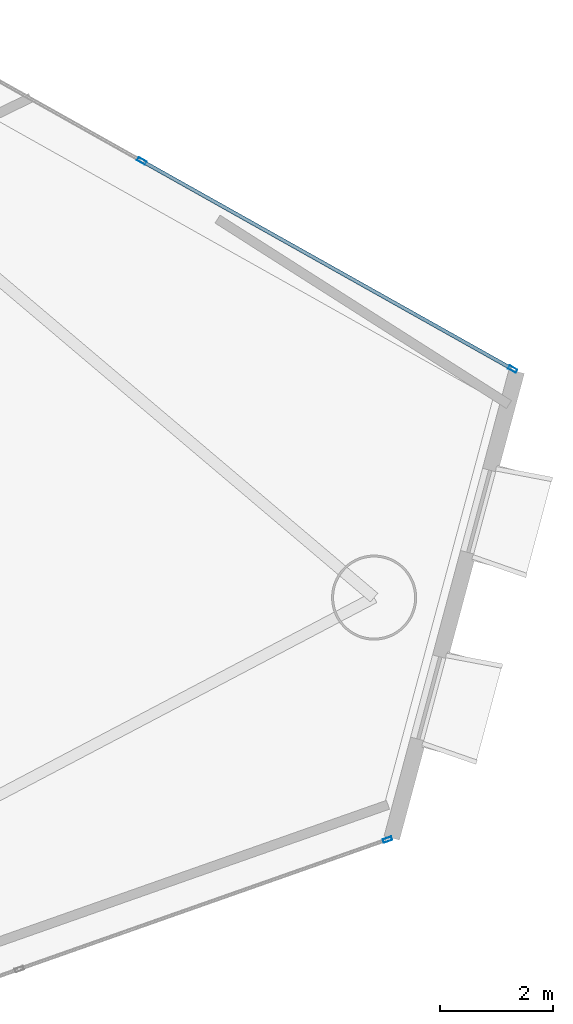
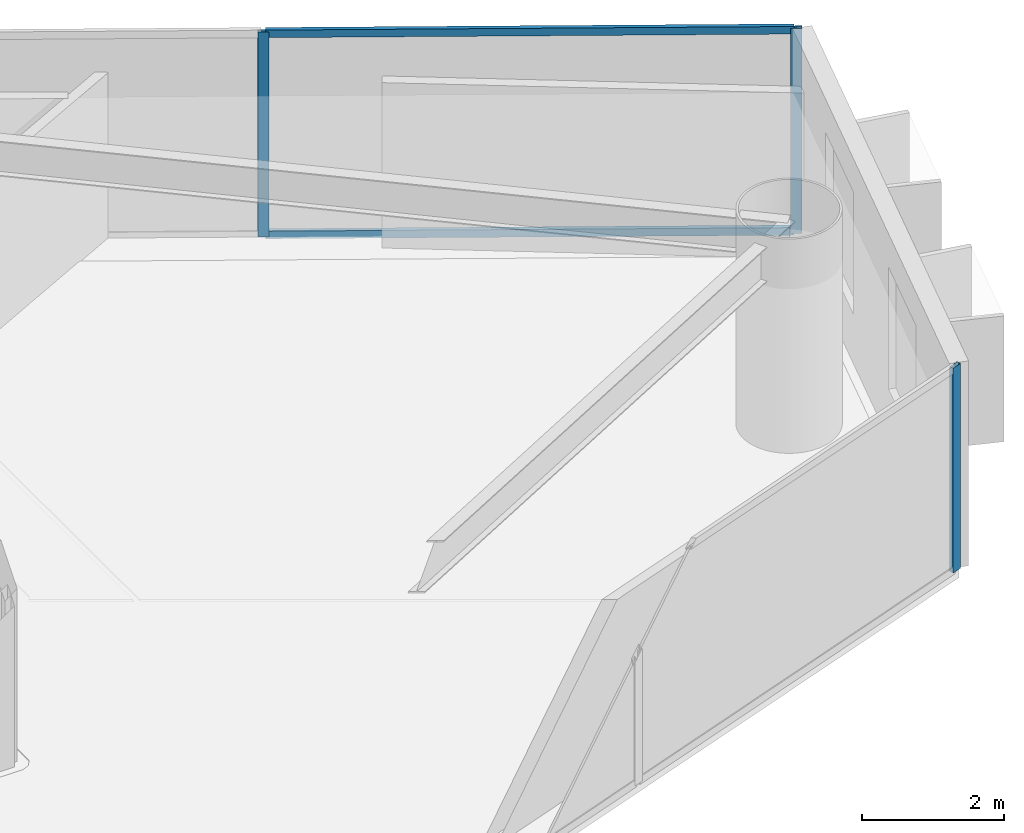
# One storey, part 12 of 19: 5 members, 2 elements without a shape of their own.
"""IFC4 building model written with IfcOpenShell, lengths in metres."""

from ifc_helpers import new_model, si_unit, direction, frame, origin, origin_2d, place, context, subcontext, project, spatial, hollow_rectangle, extrude, material, layer, layer_set, material_profile, profile_set, type_object, element, aggregate, save


model = new_model("IFC4")

# Units and contexts
model_context = context("Model", 3, precision=1e-05, world=origin(), true_north=direction((0.0, 1.0)))
body_context = subcontext(model_context, "Body", "Model", "MODEL_VIEW")
ifc_project = project(units=[si_unit("LENGTHUNIT", "METRE"), si_unit("AREAUNIT", "SQUARE_METRE"), si_unit("VOLUMEUNIT", "CUBIC_METRE"), si_unit("PLANEANGLEUNIT", "RADIAN"), si_unit("MASSUNIT", "GRAM", prefix="KILO")], contexts=[model_context])

# Site, building, storey
site_placement = place(None, origin())
site = spatial("IfcSite", under=ifc_project, at=site_placement, CompositionType="ELEMENT")
building_placement = place(site_placement, origin())
building = spatial("IfcBuilding", under=site, at=building_placement, Name="Qianvela Tower", CompositionType="ELEMENT")
storey_placement = place(building_placement, frame((0.0, 0.0, 123.699951171875)))
storey = spatial("IfcBuildingStorey", under=building, at=storey_placement, Name="L31", CompositionType="ELEMENT", Elevation=123.699951171875)

# Curtain wall, members
ifc_material_1 = material(Name="Anodised Architectural Aluminium and Low-E Glass", Category="aluminium")
ifc_layer = layer(ifc_material_1, 0.169921875)
ifc_layer_set = layer_set([ifc_layer], Name="Anodised Architectural Aluminium and Low-E Glass")
curtain_wall_type = type_object("IfcCurtainWallType", Name="CW-COLIV-Z34", PredefinedType="USERDEFINED", material=ifc_layer_set)
curtain_wall_1_placement = place(storey_placement, origin())
curtain_wall_1 = element("IfcCurtainWall", 1, at=curtain_wall_1_placement, inside=storey, type_object=curtain_wall_type, Name="L31 CW-COLIV-Z34 Curtain Wall 02A", ObjectType="CURTAIN_WALL_SYSTEM", PredefinedType="USERDEFINED")
ifc_material_2 = material(Name="Anodised Architectural Aluminium 6063-T6", Category="aluminium")
ifc_material_profile_1 = material_profile(ifc_material_2, hollow_rectangle(XDim=0.06494140625, YDim=0.159912109375, WallThickness=0.0048828125, at=origin_2d()), Name="ALU-MULL-65x160")
ifc_profile_set_1 = profile_set([ifc_material_profile_1], Name="Anodised Architectural Aluminium 6063-T6")
member_type_1 = type_object("IfcMemberType", Name="CW-COLIV-Z34-MULL", PredefinedType="MULLION", material=ifc_profile_set_1)
member_1_placement = place(storey_placement, frame((59.6357421875, 27.985107421875, 0.0), z_axis=(0.0, 0.0, 1.0), x_axis=(-0.48957603275, -0.871960611586, 0.0)))
member_1 = element("IfcMember", 2, at=member_1_placement, type_object=member_type_1, Name="CW-4 mullion 1", PredefinedType="MULLION", context=body_context, shape_type="SweptSolid", body=[
    extrude(hollow_rectangle(XDim=0.06494140625, YDim=0.159912109375, WallThickness=0.0048828125, at=origin_2d()), origin(), (0.0, 0.0, 1.0), 3.52001953125),
])
member_2_placement = place(storey_placement, frame((53.098388671875, 31.65576171875, 0.0), z_axis=(0.0, 0.0, 1.0), x_axis=(-0.48957603275, -0.871960611586, 0.0)))
member_2 = element("IfcMember", 3, at=member_2_placement, type_object=member_type_1, Name="CW-4 mullion 2", PredefinedType="MULLION", context=body_context, shape_type="SweptSolid", body=[
    extrude(hollow_rectangle(XDim=0.06494140625, YDim=0.159912109375, WallThickness=0.0048828125, at=origin_2d()), origin(), (0.0, 0.0, 1.0), 3.52001953125),
])

# Curtain wall, member
curtain_wall_2_placement = place(storey_placement, origin())
curtain_wall_2 = element("IfcCurtainWall", 4, at=curtain_wall_2_placement, inside=storey, type_object=curtain_wall_type, Name="L31 CW-COLIV-Z34 Curtain Wall 06C", ObjectType="CURTAIN_WALL_SYSTEM", PredefinedType="USERDEFINED")
member_3_placement = place(storey_placement, frame((57.42822265625, 19.69091796875, 0.0), z_axis=(0.0, 0.0, 1.0), x_axis=(-0.332046723019, 0.94326293987, 0.0)))
member_3 = element("IfcMember", 5, at=member_3_placement, type_object=member_type_1, Name="CW-4 mullion 3", PredefinedType="MULLION", context=body_context, shape_type="SweptSolid", body=[
    extrude(hollow_rectangle(XDim=0.06494140625, YDim=0.159912109375, WallThickness=0.0048828125, at=origin_2d()), origin(), (0.0, 0.0, 1.0), 3.52001953125),
])
aggregate(curtain_wall_2, [member_3])

# Member
ifc_material_3 = material(Name="Anodised Architectural Aluminium 6063-T6", Category="aluminium")
ifc_material_profile_2 = material_profile(ifc_material_3, hollow_rectangle(XDim=0.06494140625, YDim=0.1298828125, WallThickness=0.00439453125, at=origin_2d()), Name="ALU-TRAN-65x130")
ifc_profile_set_2 = profile_set([ifc_material_profile_2], Name="Anodised Architectural Aluminium 6063-T6")
member_type_2 = type_object("IfcMemberType", Name="CW-COLIV-Z34-TRAN", PredefinedType="USERDEFINED", material=ifc_profile_set_2)
member_4_placement = place(storey_placement, frame((59.607421875, 28.0009765625, 0.032470703125), z_axis=(-0.871948113901, 0.489598291117, 0.0), x_axis=(-0.489598291117, -0.871948113901, 0.0)))
member_4 = element("IfcMember", 6, at=member_4_placement, type_object=member_type_2, Name="CW-4 transom 1.1", ObjectType="TRANSOM", PredefinedType="USERDEFINED", context=body_context, shape_type="SweptSolid", body=[
    extrude(hollow_rectangle(XDim=0.06494140625, YDim=0.1298828125, WallThickness=0.00439453125, at=origin_2d()), origin(), (0.0, 0.0, 1.0), 7.432373046875),
])

member_5_placement = place(storey_placement, frame((59.607421875, 28.0009765625, 3.487548828125), z_axis=(-0.871948113901, 0.489598291117, 0.0), x_axis=(-0.489598291117, -0.871948113901, 0.0)))
member_5 = element("IfcMember", 7, at=member_5_placement, type_object=member_type_2, Name="CW-4 transom 1.2", ObjectType="TRANSOM", PredefinedType="USERDEFINED", context=body_context, shape_type="SweptSolid", body=[
    extrude(hollow_rectangle(XDim=0.06494140625, YDim=0.1298828125, WallThickness=0.00439453125, at=origin_2d()), origin(), (0.0, 0.0, 1.0), 7.432373046875),
])

aggregate(curtain_wall_1, [member_1, member_2, member_4, member_5])

save(model, "model.ifc")
